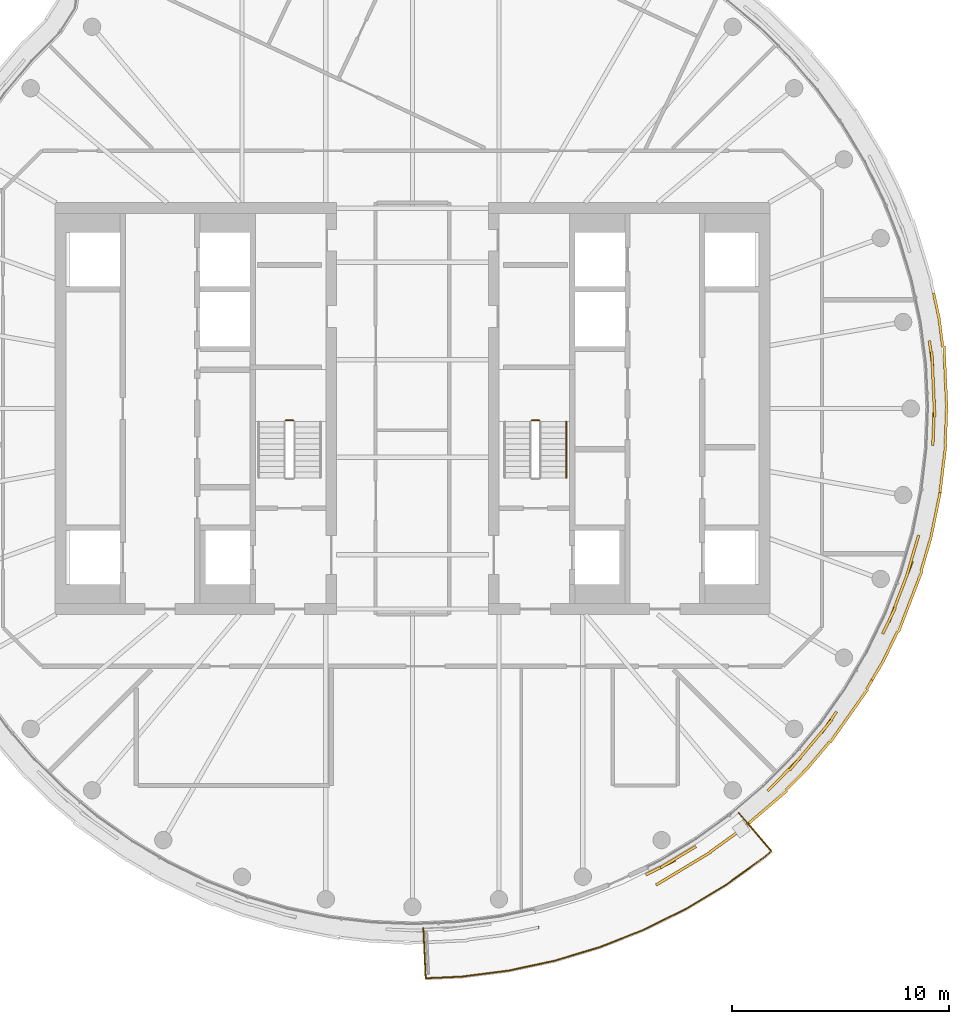
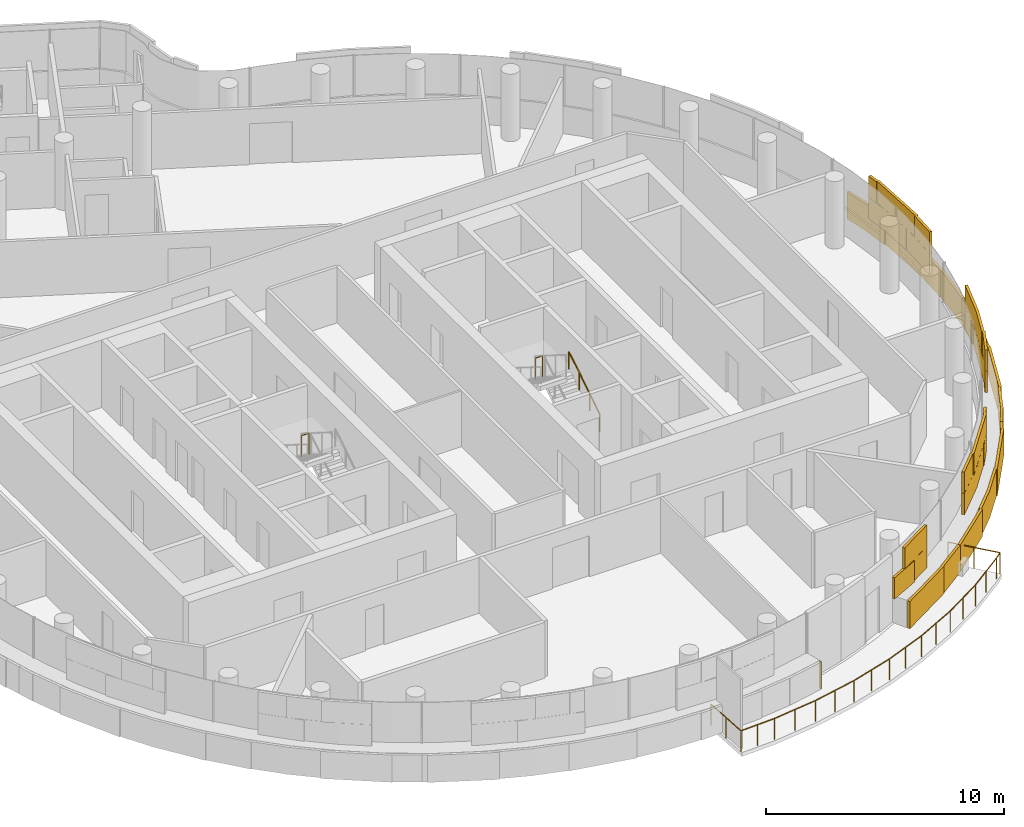
# One storey, part 18 of 21: 4 coverings, 4 railings.
"""IFC4 building model written with IfcOpenShell, lengths in metres."""

from ifc_helpers import new_model, si_unit, direction, frame, origin, origin_2d, place, context, subcontext, project, spatial, rectangle, circle, extrude, material, layer, layer_set, type_object, element, save


model = new_model("IFC4")

# Units and contexts
model_context = context("Model", 3, precision=1e-05, world=origin(), true_north=direction((0.0, 1.0)))
body_context = subcontext(model_context, "Body", "Model", "MODEL_VIEW")
ifc_project = project(units=[si_unit("LENGTHUNIT", "METRE"), si_unit("AREAUNIT", "SQUARE_METRE"), si_unit("VOLUMEUNIT", "CUBIC_METRE"), si_unit("PLANEANGLEUNIT", "RADIAN"), si_unit("MASSUNIT", "GRAM", prefix="KILO")], contexts=[model_context])

# Site, building, storey
site_placement = place(None, origin())
site = spatial("IfcSite", under=ifc_project, at=site_placement, CompositionType="ELEMENT")
building_placement = place(site_placement, origin())
building = spatial("IfcBuilding", under=site, at=building_placement, Name="Tamarind Cross Interchange Tower", CompositionType="ELEMENT")
storey_placement = place(building_placement, frame((0.0, 0.0, 267.60009765625)))
storey = spatial("IfcBuildingStorey", under=building, at=storey_placement, Name="L68", CompositionType="ELEMENT", Elevation=267.60009765625)

# Railings
ifc_material_1 = material(Name="Stainless steel and laminated glass", Category="steel")
railing_type_1 = type_object("IfcRailingType", Name="Balcony guard", PredefinedType="BALUSTRADE", material=ifc_material_1)
railing_1_placement = place(storey_placement, frame((0.504638671875, -23.977294921875, 0.0)))
element("IfcRailing", 1, at=railing_1_placement, inside=storey, type_object=railing_type_1, Name="Balcony guard 01", PredefinedType="BALUSTRADE", context=body_context, shape_type="SweptSolid", body=[
    extrude(circle(Radius=0.02490234375, at=origin_2d()), frame((0.0, 0.0, 1.0751953125), z_axis=(0.045670194078, -0.998956572316, 0.0), x_axis=(0.998956572316, 0.045670194078, 0.0)), (0.0, 0.0, 1.0), 2.320068359375),
    extrude(circle(Radius=0.02490234375, at=origin_2d()), frame((0.10595703125, -2.317626953125, 1.0751953125), z_axis=(0.998961625937, 0.04555952046, 0.0), x_axis=(-0.04555952046, 0.998961625937, 0.0)), (0.0, 0.0, 1.0), 1.67724609375),
    extrude(circle(Radius=0.02490234375, at=origin_2d()), frame((1.781494140625, -2.2412109375, 1.0751953125), z_axis=(0.991779704699, 0.127957091824, 0.0), x_axis=(-0.127957091824, 0.991779704699, 0.0)), (0.0, 0.0, 1.0), 2.175048828125),
    extrude(circle(Radius=0.02490234375, at=origin_2d()), frame((3.938720703125, -1.962890625, 1.0751953125), z_axis=(0.977822119933, 0.209437106955, 0.0), x_axis=(-0.209437106955, 0.977822119933, 0.0)), (0.0, 0.0, 1.0), 2.17529296875),
    extrude(circle(Radius=0.02490234375, at=origin_2d()), frame((6.065673828125, -1.50732421875, 1.0751953125), z_axis=(0.957187563191, 0.289468424656, 0.0), x_axis=(-0.289468424656, 0.957187563191, 0.0)), (0.0, 0.0, 1.0), 2.175048828125),
    extrude(circle(Radius=0.02490234375, at=origin_2d()), frame((8.147705078125, -0.877685546875, 1.0751953125), z_axis=(0.930047255074, 0.367439931593, 0.0), x_axis=(-0.367439931593, 0.930047255074, 0.0)), (0.0, 0.0, 1.0), 2.17529296875),
    extrude(circle(Radius=0.02490234375, at=origin_2d()), frame((10.1708984375, -0.078369140625, 1.0751953125), z_axis=(0.896460627491, 0.443123395184, 0.0), x_axis=(-0.443123395184, 0.896460627491, 0.0)), (0.0, 0.0, 1.0), 2.175048828125),
    extrude(circle(Radius=0.02490234375, at=origin_2d()), frame((12.120849609375, 0.885498046875, 1.0751953125), z_axis=(0.85686835227, 0.515535281894, 0.0), x_axis=(-0.515535281894, 0.85686835227, 0.0)), (0.0, 0.0, 1.0), 2.175048828125),
    extrude(circle(Radius=0.02490234375, at=origin_2d()), frame((13.984619140625, 2.0068359375, 1.0751953125), z_axis=(0.811315026637, 0.584609209261, 0.0), x_axis=(-0.584609209261, 0.811315026637, 0.0)), (0.0, 0.0, 1.0), 2.17529296875),
    extrude(circle(Radius=0.02490234375, at=origin_2d()), frame((15.74951171875, 3.278564453125, 1.0751953125), z_axis=(0.760247213294, 0.64963387741, 0.0), x_axis=(-0.64963387741, 0.760247213294, 0.0)), (0.0, 0.0, 1.0), 0.417236328125),
    extrude(circle(Radius=0.02490234375, at=origin_2d()), frame((16.066650390625, 3.549560546875, 1.0751953125), z_axis=(-0.649585978216, 0.760288140711, 0.0), x_axis=(-0.760288140711, -0.649585978216, 0.0)), (0.0, 0.0, 1.0), 2.320068359375),
    extrude(circle(Radius=0.02001953125, at=origin_2d()), origin(), (0.0, 0.0, 1.0), 1.050048828125),
    extrude(circle(Radius=0.02001953125, at=origin_2d()), frame((0.052978515625, -1.15869140625, 0.0)), (0.0, 0.0, 1.0), 1.050048828125),
    extrude(circle(Radius=0.02001953125, at=origin_2d()), frame((0.10595703125, -2.317626953125, 0.0)), (0.0, 0.0, 1.0), 1.050048828125),
    extrude(circle(Radius=0.02001953125, at=origin_2d()), frame((0.94384765625, -2.279296875, 0.0)), (0.0, 0.0, 1.0), 1.050048828125),
    extrude(circle(Radius=0.02001953125, at=origin_2d()), frame((1.781494140625, -2.2412109375, 0.0)), (0.0, 0.0, 1.0), 1.050048828125),
    extrude(circle(Radius=0.02001953125, at=origin_2d()), frame((2.860107421875, -2.10205078125, 0.0)), (0.0, 0.0, 1.0), 1.050048828125),
    extrude(circle(Radius=0.02001953125, at=origin_2d()), frame((3.938720703125, -1.962890625, 0.0)), (0.0, 0.0, 1.0), 1.050048828125),
    extrude(circle(Radius=0.02001953125, at=origin_2d()), frame((5.002197265625, -1.735107421875, 0.0)), (0.0, 0.0, 1.0), 1.050048828125),
    extrude(circle(Radius=0.02001953125, at=origin_2d()), frame((6.065673828125, -1.50732421875, 0.0)), (0.0, 0.0, 1.0), 1.050048828125),
    extrude(circle(Radius=0.02001953125, at=origin_2d()), frame((7.106689453125, -1.1923828125, 0.0)), (0.0, 0.0, 1.0), 1.050048828125),
    extrude(circle(Radius=0.02001953125, at=origin_2d()), frame((8.147705078125, -0.877685546875, 0.0)), (0.0, 0.0, 1.0), 1.050048828125),
    extrude(circle(Radius=0.02001953125, at=origin_2d()), frame((9.1591796875, -0.47802734375, 0.0)), (0.0, 0.0, 1.0), 1.050048828125),
    extrude(circle(Radius=0.02001953125, at=origin_2d()), frame((10.1708984375, -0.078369140625, 0.0)), (0.0, 0.0, 1.0), 1.050048828125),
    extrude(circle(Radius=0.02001953125, at=origin_2d()), frame((11.14599609375, 0.403564453125, 0.0)), (0.0, 0.0, 1.0), 1.050048828125),
    extrude(circle(Radius=0.02001953125, at=origin_2d()), frame((12.120849609375, 0.885498046875, 0.0)), (0.0, 0.0, 1.0), 1.050048828125),
    extrude(circle(Radius=0.02001953125, at=origin_2d()), frame((13.052734375, 1.4462890625, 0.0)), (0.0, 0.0, 1.0), 1.050048828125),
    extrude(circle(Radius=0.02001953125, at=origin_2d()), frame((13.984619140625, 2.0068359375, 0.0)), (0.0, 0.0, 1.0), 1.050048828125),
    extrude(circle(Radius=0.02001953125, at=origin_2d()), frame((14.8671875, 2.642578125, 0.0)), (0.0, 0.0, 1.0), 1.050048828125),
    extrude(circle(Radius=0.02001953125, at=origin_2d()), frame((15.74951171875, 3.278564453125, 0.0)), (0.0, 0.0, 1.0), 1.050048828125),
    extrude(circle(Radius=0.02001953125, at=origin_2d()), frame((16.066650390625, 3.549560546875, 0.0)), (0.0, 0.0, 1.0), 1.050048828125),
    extrude(circle(Radius=0.02001953125, at=origin_2d()), frame((15.31298828125, 4.431640625, 0.0)), (0.0, 0.0, 1.0), 1.050048828125),
    extrude(circle(Radius=0.02001953125, at=origin_2d()), frame((14.5595703125, 5.3134765625, 0.0)), (0.0, 0.0, 1.0), 1.050048828125),
])
ifc_material_2 = material(Name="Stair guard")
railing_type_2 = type_object("IfcRailingType", Name="Stair guard", PredefinedType="GUARDRAIL", material=ifc_material_2)
for number, where, name in (
    (2, (-5.5, -0.550048828125, 1.7998046875), "L68 ST1 stair guard 2"),
    (3, (5.85009765625, -0.550048828125, 1.7998046875), "L68 ST2 stair guard 2"),
):
    element("IfcRailing", number, at=place(storey_placement, frame(where)), inside=storey, type_object=railing_type_2, Name=name, PredefinedType="GUARDRAIL", context=body_context, shape_type="SweptSolid", body=[
        extrude(circle(Radius=0.02392578125, at=origin_2d()), frame((0.0, 0.0, 1.076171875), z_axis=(-1.0, 0.0, 0.0), x_axis=(0.0, -1.0, 0.0)), (0.0, 0.0, 1.0), 0.35009765625),
        extrude(circle(Radius=0.02099609375, at=origin_2d()), origin(), (0.0, 0.0, 1.0), 1.052001953125),
        extrude(circle(Radius=0.02099609375, at=origin_2d()), frame((-0.35009765625, 0.0, 0.0)), (0.0, 0.0, 1.0), 1.052001953125),
    ])
ifc_material_3 = material(Name="Stair handrail")
railing_type_3 = type_object("IfcRailingType", Name="Stair handrail", PredefinedType="HANDRAIL", material=ifc_material_3)
railing_2_placement = place(storey_placement, frame((7.10009765625, -3.199951171875, 0.16357421875)))
element("IfcRailing", 4, at=railing_2_placement, inside=storey, type_object=railing_type_3, Name="L68 ST2 stair handrail 1", PredefinedType="HANDRAIL", context=body_context, shape_type="SweptSolid", body=[
    extrude(circle(Radius=0.02392578125, at=origin_2d()), frame((0.0, 0.0, 0.8759765625), z_axis=(0.0, 0.846337672412, 0.532646734952), x_axis=(-1.0, 0.0, 0.0)), (0.0, 0.0, 1.0), 3.07177734375),
    extrude(circle(Radius=0.02099609375, at=origin_2d()), origin(), (0.0, 0.0, 1.0), 0.851806640625),
    extrude(circle(Radius=0.02099609375, at=origin_2d()), frame((0.0, 0.86669921875, 0.54541015625)), (0.0, 0.0, 1.0), 0.851806640625),
    extrude(circle(Radius=0.02099609375, at=origin_2d()), frame((0.0, 1.733154296875, 1.0908203125)), (0.0, 0.0, 1.0), 0.851806640625),
    extrude(circle(Radius=0.02099609375, at=origin_2d()), frame((0.0, 2.599853515625, 1.63623046875)), (0.0, 0.0, 1.0), 0.851806640625),
])

# Coverings
ifc_material_4 = material(Name="Terracotta", Category="masonry")
ifc_layer = layer(ifc_material_4, 0.1201171875)
ifc_layer_set = layer_set([ifc_layer], Name="Terracotta")
covering_type = type_object("IfcCoveringType", Name="Terracotta baguette screen unit", PredefinedType="MOLDING", material=ifc_layer_set)
covering_1_placement = place(storey_placement, origin())
element("IfcCovering", 5, at=covering_1_placement, inside=storey, type_object=covering_type, Name="SCR-L68-01-08", PredefinedType="MOLDING", context=body_context, shape_type="SweptSolid", body=[
    extrude(rectangle(XDim=1.52001953125, YDim=0.1201171875, at=origin_2d()), frame((11.45556640625, -21.1826171875, 1.40380859375), z_axis=(0.0, 0.0, 1.0), x_axis=(0.896492548518, 0.443058811505, 0.0)), (0.0, 0.0, 1.0), 1.092041015625),
    extrude(rectangle(XDim=1.15380859375, YDim=0.1201171875, at=origin_2d()), frame((12.592529296875, -20.509033203125, 1.40380859375), z_axis=(0.0, 0.0, 1.0), x_axis=(0.856843065292, 0.515577308909, 0.0)), (0.0, 0.0, 1.0), 1.092041015625),
    extrude(rectangle(XDim=1.52001953125, YDim=0.1201171875, at=origin_2d()), frame((12.1025390625, -20.803955078125, 2.50390625), z_axis=(0.0, 0.0, 1.0), x_axis=(0.856843065292, 0.515577308909, 0.0)), (0.0, 0.0, 1.0), 1.092041015625),
    extrude(rectangle(XDim=0.40380859375, YDim=0.1201171875, at=origin_2d()), frame((12.913818359375, -20.315673828125, 2.50390625), z_axis=(0.0, 0.0, 1.0), x_axis=(0.856843065292, 0.515577308909, 0.0)), (0.0, 0.0, 1.0), 1.092041015625),
    extrude(rectangle(XDim=0.03076171875, YDim=0.1201171875, at=origin_2d()), frame((5.8271484375, -23.9501953125, 0.00390625), z_axis=(0.0, 0.0, 1.0), x_axis=(0.977824623121, 0.209425419705, 0.0)), (0.0, 0.0, 1.0), 1.39208984375),
    extrude(rectangle(XDim=1.46044921875, YDim=0.1201171875, at=origin_2d()), frame((11.86962890625, -21.614013671875, 0.00390625), z_axis=(0.0, 0.0, 1.0), x_axis=(0.856843065292, 0.515577308909, 0.0)), (0.0, 0.0, 1.0), 1.39208984375),
    extrude(rectangle(XDim=1.52001953125, YDim=0.1201171875, at=origin_2d()), frame((13.12939453125, -20.85595703125, 0.00390625), z_axis=(0.0, 0.0, 1.0), x_axis=(0.856843065292, 0.515577308909, 0.0)), (0.0, 0.0, 1.0), 1.39208984375),
    extrude(rectangle(XDim=1.52001953125, YDim=0.1201171875, at=origin_2d()), frame((14.3701171875, -20.01513671875, 0.00390625), z_axis=(0.0, 0.0, 1.0), x_axis=(0.811340475102, 0.584573890505, 0.0)), (0.0, 0.0, 1.0), 1.39208984375),
    extrude(rectangle(XDim=0.2197265625, YDim=0.1201171875, at=origin_2d()), frame((15.0595703125, -19.518310546875, 0.00390625), z_axis=(0.0, 0.0, 1.0), x_axis=(0.811340475102, 0.584573890505, 0.0)), (0.0, 0.0, 1.0), 1.39208984375),
])
covering_2_placement = place(storey_placement, origin())
element("IfcCovering", 6, at=covering_2_placement, inside=storey, type_object=covering_type, Name="SCR-L68-01-09", PredefinedType="MOLDING", context=body_context, shape_type="SweptSolid", body=[
    extrude(rectangle(XDim=0.666259765625, YDim=0.1201171875, at=origin_2d()), frame((16.6279296875, -17.409423828125, 1.40380859375), z_axis=(0.0, 0.0, 1.0), x_axis=(0.704057148523, 0.710143317658, 0.0)), (0.0, 0.0, 1.0), 1.092041015625),
    extrude(rectangle(XDim=1.52001953125, YDim=0.1201171875, at=origin_2d()), frame((17.386962890625, -16.643798828125, 1.40380859375), z_axis=(0.0, 0.0, 1.0), x_axis=(0.704057148523, 0.710143317658, 0.0)), (0.0, 0.0, 1.0), 1.092041015625),
    extrude(rectangle(XDim=1.52001953125, YDim=0.1201171875, at=origin_2d()), frame((18.386474609375, -15.527099609375, 1.40380859375), z_axis=(0.0, 0.0, 1.0), x_axis=(0.643009266048, 0.765858396687, 0.0)), (0.0, 0.0, 1.0), 1.092041015625),
    extrude(rectangle(XDim=1.196533203125, YDim=0.1201171875, at=origin_2d()), frame((19.23193359375, -14.484130859375, 1.40380859375), z_axis=(0.0, 0.0, 1.0), x_axis=(0.577568978284, 0.816341886298, 0.0)), (0.0, 0.0, 1.0), 1.092041015625),
    extrude(rectangle(XDim=1.416259765625, YDim=0.1201171875, at=origin_2d()), frame((16.891845703125, -17.143310546875, 2.50390625), z_axis=(0.0, 0.0, 1.0), x_axis=(0.704057148523, 0.710143317658, 0.0)), (0.0, 0.0, 1.0), 1.092041015625),
    extrude(rectangle(XDim=1.52001953125, YDim=0.1201171875, at=origin_2d()), frame((17.904296875, -16.101318359375, 2.50390625), z_axis=(0.0, 0.0, 1.0), x_axis=(0.643009266048, 0.765858396687, 0.0)), (0.0, 0.0, 1.0), 1.092041015625),
    extrude(rectangle(XDim=1.52001953125, YDim=0.1201171875, at=origin_2d()), frame((18.86865234375, -14.95263671875, 2.50390625), z_axis=(0.0, 0.0, 1.0), x_axis=(0.643009266048, 0.765858396687, 0.0)), (0.0, 0.0, 1.0), 1.092041015625),
    extrude(rectangle(XDim=0.446533203125, YDim=0.1201171875, at=origin_2d()), frame((19.448486328125, -14.177978515625, 2.50390625), z_axis=(0.0, 0.0, 1.0), x_axis=(0.577568978284, 0.816341886298, 0.0)), (0.0, 0.0, 1.0), 1.092041015625),
    extrude(rectangle(XDim=1.30029296875, YDim=0.1201171875, at=origin_2d()), frame((15.648193359375, -19.038330078125, 0.00390625), z_axis=(0.0, 0.0, 1.0), x_axis=(0.760295606781, 0.64957723968, 0.0)), (0.0, 0.0, 1.0), 1.39208984375),
    extrude(rectangle(XDim=1.52001953125, YDim=0.1201171875, at=origin_2d()), frame((16.705078125, -18.13525390625, 0.00390625), z_axis=(0.0, 0.0, 1.0), x_axis=(0.760295606781, 0.64957723968, 0.0)), (0.0, 0.0, 1.0), 1.39208984375),
    extrude(rectangle(XDim=1.52001953125, YDim=0.1201171875, at=origin_2d()), frame((17.766845703125, -17.075927734375, 0.00390625), z_axis=(0.0, 0.0, 1.0), x_axis=(0.704057148523, 0.710143317658, 0.0)), (0.0, 0.0, 1.0), 1.39208984375),
    extrude(rectangle(XDim=1.52001953125, YDim=0.1201171875, at=origin_2d()), frame((18.770263671875, -15.962646484375, 0.00390625), z_axis=(0.0, 0.0, 1.0), x_axis=(0.643009266048, 0.765858396687, 0.0)), (0.0, 0.0, 1.0), 1.39208984375),
    extrude(rectangle(XDim=1.52001953125, YDim=0.1201171875, at=origin_2d()), frame((19.71337890625, -14.797607421875, 0.00390625), z_axis=(0.0, 0.0, 1.0), x_axis=(0.577568978284, 0.816341886298, 0.0)), (0.0, 0.0, 1.0), 1.39208984375),
    extrude(rectangle(XDim=1.52001953125, YDim=0.1201171875, at=origin_2d()), frame((20.579833984375, -13.572998046875, 0.00390625), z_axis=(0.0, 0.0, 1.0), x_axis=(0.577568978284, 0.816341886298, 0.0)), (0.0, 0.0, 1.0), 1.39208984375),
    extrude(rectangle(XDim=0.478271484375, YDim=0.1201171875, at=origin_2d()), frame((21.092041015625, -12.7392578125, 0.00390625), z_axis=(0.0, 0.0, 1.0), x_axis=(0.508183308752, 0.861248933065, 0.0)), (0.0, 0.0, 1.0), 1.39208984375),
])
covering_3_placement = place(storey_placement, origin())
element("IfcCovering", 7, at=covering_3_placement, inside=storey, type_object=covering_type, Name="SCR-L68-01-10", PredefinedType="MOLDING", context=body_context, shape_type="SweptSolid", body=[
    extrude(rectangle(XDim=0.62353515625, YDim=0.1201171875, at=origin_2d()), frame((21.840576171875, -10.1142578125, 1.40380859375), z_axis=(0.0, 0.0, 1.0), x_axis=(0.435326231914, 0.900272776334, 0.0)), (0.0, 0.0, 1.0), 1.092041015625),
    extrude(rectangle(XDim=1.52001953125, YDim=0.1201171875, at=origin_2d()), frame((22.265380859375, -9.1474609375, 1.40380859375), z_axis=(0.0, 0.0, 1.0), x_axis=(0.359495435512, 0.933146843667, 0.0)), (0.0, 0.0, 1.0), 1.092041015625),
    extrude(rectangle(XDim=1.52001953125, YDim=0.1201171875, at=origin_2d()), frame((22.8046875, -7.747802734375, 1.40380859375), z_axis=(0.0, 0.0, 1.0), x_axis=(0.359495435512, 0.933146843667, 0.0)), (0.0, 0.0, 1.0), 1.092041015625),
    extrude(rectangle(XDim=1.239501953125, YDim=0.1201171875, at=origin_2d()), frame((23.190673828125, -6.43896484375, 1.40380859375), z_axis=(0.0, 0.0, 1.0), x_axis=(0.281208920763, 0.95964657186, 0.0)), (0.0, 0.0, 1.0), 1.092041015625),
    extrude(rectangle(XDim=1.37353515625, YDim=0.1201171875, at=origin_2d()), frame((22.00390625, -9.776611328125, 2.50390625), z_axis=(0.0, 0.0, 1.0), x_axis=(0.435326231914, 0.900272776334, 0.0)), (0.0, 0.0, 1.0), 1.092041015625),
    extrude(rectangle(XDim=1.52001953125, YDim=0.1201171875, at=origin_2d()), frame((22.53515625, -8.44775390625, 2.50390625), z_axis=(0.0, 0.0, 1.0), x_axis=(0.359495435512, 0.933146843667, 0.0)), (0.0, 0.0, 1.0), 1.092041015625),
    extrude(rectangle(XDim=1.52001953125, YDim=0.1201171875, at=origin_2d()), frame((23.017822265625, -7.02880859375, 2.50390625), z_axis=(0.0, 0.0, 1.0), x_axis=(0.281208920763, 0.95964657186, 0.0)), (0.0, 0.0, 1.0), 1.092041015625),
    extrude(rectangle(XDim=0.489501953125, YDim=0.1201171875, at=origin_2d()), frame((23.296142578125, -6.0791015625, 2.50390625), z_axis=(0.0, 0.0, 1.0), x_axis=(0.281208920763, 0.95964657186, 0.0)), (0.0, 0.0, 1.0), 1.092041015625),
    extrude(rectangle(XDim=1.041748046875, YDim=0.1201171875, at=origin_2d()), frame((21.478271484375, -12.084716796875, 0.00390625), z_axis=(0.0, 0.0, 1.0), x_axis=(0.508183308752, 0.861248933065, 0.0)), (0.0, 0.0, 1.0), 1.39208984375),
    extrude(rectangle(XDim=1.52001953125, YDim=0.1201171875, at=origin_2d()), frame((22.064453125, -10.9697265625, 0.00390625), z_axis=(0.0, 0.0, 1.0), x_axis=(0.435326231914, 0.900272776334, 0.0)), (0.0, 0.0, 1.0), 1.39208984375),
    extrude(rectangle(XDim=1.52001953125, YDim=0.1201171875, at=origin_2d()), frame((22.70166015625, -9.6123046875, 0.00390625), z_axis=(0.0, 0.0, 1.0), x_axis=(0.359495435512, 0.933146843667, 0.0)), (0.0, 0.0, 1.0), 1.39208984375),
    extrude(rectangle(XDim=1.52001953125, YDim=0.1201171875, at=origin_2d()), frame((23.24072265625, -8.212646484375, 0.00390625), z_axis=(0.0, 0.0, 1.0), x_axis=(0.359495435512, 0.933146843667, 0.0)), (0.0, 0.0, 1.0), 1.39208984375),
    extrude(rectangle(XDim=1.52001953125, YDim=0.1201171875, at=origin_2d()), frame((23.688232421875, -6.78173828125, 0.00390625), z_axis=(0.0, 0.0, 1.0), x_axis=(0.281208920763, 0.95964657186, 0.0)), (0.0, 0.0, 1.0), 1.39208984375),
    extrude(rectangle(XDim=1.52001953125, YDim=0.1201171875, at=origin_2d()), frame((24.059326171875, -5.32958984375, 0.00390625), z_axis=(0.0, 0.0, 1.0), x_axis=(0.201001463943, 0.9795909409, 0.0)), (0.0, 0.0, 1.0), 1.39208984375),
    extrude(rectangle(XDim=0.736572265625, YDim=0.1201171875, at=origin_2d()), frame((24.281982421875, -4.243896484375, 0.00390625), z_axis=(0.0, 0.0, 1.0), x_axis=(0.201001463943, 0.9795909409, 0.0)), (0.0, 0.0, 1.0), 1.39208984375),
])
covering_4_placement = place(storey_placement, origin())
element("IfcCovering", 8, at=covering_4_placement, inside=storey, type_object=covering_type, Name="SCR-L68-01-11", PredefinedType="MOLDING", context=body_context, shape_type="SweptSolid", body=[
    extrude(rectangle(XDim=0.58056640625, YDim=0.1201171875, at=origin_2d()), frame((24.029296875, -1.42041015625, 1.40380859375), z_axis=(0.0, 0.0, 1.0), x_axis=(0.037024696392, 0.999314350871, 0.0)), (0.0, 0.0, 1.0), 1.092041015625),
    extrude(rectangle(XDim=1.52001953125, YDim=0.1201171875, at=origin_2d()), frame((24.067626953125, -0.385986328125, 1.40380859375), z_axis=(0.0, 0.0, 1.0), x_axis=(0.037024696392, 0.999314350871, 0.0)), (0.0, 0.0, 1.0), 1.092041015625),
    extrude(rectangle(XDim=1.52001953125, YDim=0.1201171875, at=origin_2d()), frame((24.039794921875, 1.11279296875, 1.40380859375), z_axis=(0.0, 0.0, 1.0), x_axis=(-0.045624486728, 0.998958660912, 0.0)), (0.0, 0.0, 1.0), 1.092041015625),
    extrude(rectangle(XDim=1.28271484375, YDim=0.1201171875, at=origin_2d()), frame((23.943115234375, 2.49462890625, 1.40380859375), z_axis=(0.0, 0.0, 1.0), x_axis=(-0.127962008342, 0.991779070368, 0.0)), (0.0, 0.0, 1.0), 1.092041015625),
    extrude(rectangle(XDim=1.33056640625, YDim=0.1201171875, at=origin_2d()), frame((24.043212890625, -1.045654296875, 2.50390625), z_axis=(0.0, 0.0, 1.0), x_axis=(0.037024696392, 0.999314350871, 0.0)), (0.0, 0.0, 1.0), 1.092041015625),
    extrude(rectangle(XDim=1.52001953125, YDim=0.1201171875, at=origin_2d()), frame((24.073974609375, 0.363525390625, 2.50390625), z_axis=(0.0, 0.0, 1.0), x_axis=(-0.045624486728, 0.998958660912, 0.0)), (0.0, 0.0, 1.0), 1.092041015625),
    extrude(rectangle(XDim=1.52001953125, YDim=0.1201171875, at=origin_2d()), frame((24.005615234375, 1.862060546875, 2.50390625), z_axis=(0.0, 0.0, 1.0), x_axis=(-0.045624486728, 0.998958660912, 0.0)), (0.0, 0.0, 1.0), 1.092041015625),
    extrude(rectangle(XDim=0.53271484375, YDim=0.1201171875, at=origin_2d()), frame((23.89501953125, 2.86669921875, 2.50390625), z_axis=(0.0, 0.0, 1.0), x_axis=(-0.127962008342, 0.991779070368, 0.0)), (0.0, 0.0, 1.0), 1.092041015625),
    extrude(rectangle(XDim=0.783447265625, YDim=0.1201171875, at=origin_2d()), frame((24.39697265625, -3.493408203125, 0.00390625), z_axis=(0.0, 0.0, 1.0), x_axis=(0.119420963295, 0.992843710523, 0.0)), (0.0, 0.0, 1.0), 1.39208984375),
    extrude(rectangle(XDim=1.52001953125, YDim=0.1201171875, at=origin_2d()), frame((24.531982421875, -2.36962890625, 0.00390625), z_axis=(0.0, 0.0, 1.0), x_axis=(0.119420963295, 0.992843710523, 0.0)), (0.0, 0.0, 1.0), 1.39208984375),
    extrude(rectangle(XDim=1.52001953125, YDim=0.1201171875, at=origin_2d()), frame((24.6240234375, -0.87353515625, 0.00390625), z_axis=(0.0, 0.0, 1.0), x_axis=(0.037024696392, 0.999314350871, 0.0)), (0.0, 0.0, 1.0), 1.39208984375),
    extrude(rectangle(XDim=1.52001953125, YDim=0.1201171875, at=origin_2d()), frame((24.636474609375, 0.625244140625, 0.00390625), z_axis=(0.0, 0.0, 1.0), x_axis=(-0.045624486728, 0.998958660912, 0.0)), (0.0, 0.0, 1.0), 1.39208984375),
    extrude(rectangle(XDim=1.52001953125, YDim=0.1201171875, at=origin_2d()), frame((24.568115234375, 2.12353515625, 0.00390625), z_axis=(0.0, 0.0, 1.0), x_axis=(-0.045624486728, 0.998958660912, 0.0)), (0.0, 0.0, 1.0), 1.39208984375),
    extrude(rectangle(XDim=1.52001953125, YDim=0.1201171875, at=origin_2d()), frame((24.377685546875, 3.611328125, 0.00390625), z_axis=(0.0, 0.0, 1.0), x_axis=(-0.127962008342, 0.991779070368, 0.0)), (0.0, 0.0, 1.0), 1.39208984375),
    extrude(rectangle(XDim=0.99560546875, YDim=0.1201171875, at=origin_2d()), frame((24.163818359375, 4.82958984375, 0.00390625), z_axis=(0.0, 0.0, 1.0), x_axis=(-0.209425419705, 0.977824623121, 0.0)), (0.0, 0.0, 1.0), 1.39208984375),
])

save(model, "model.ifc")
